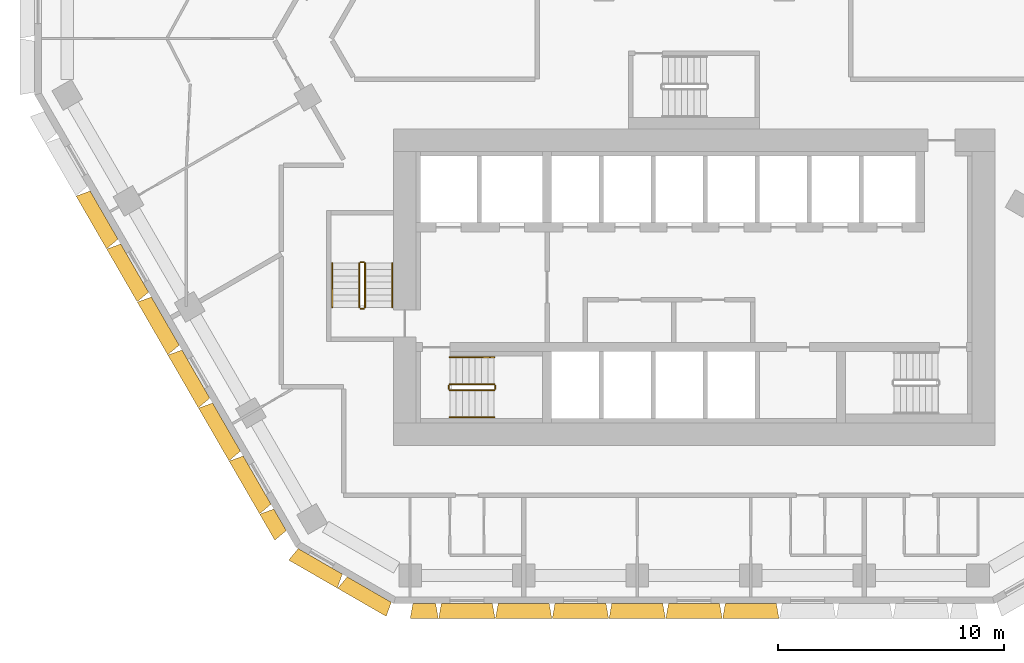
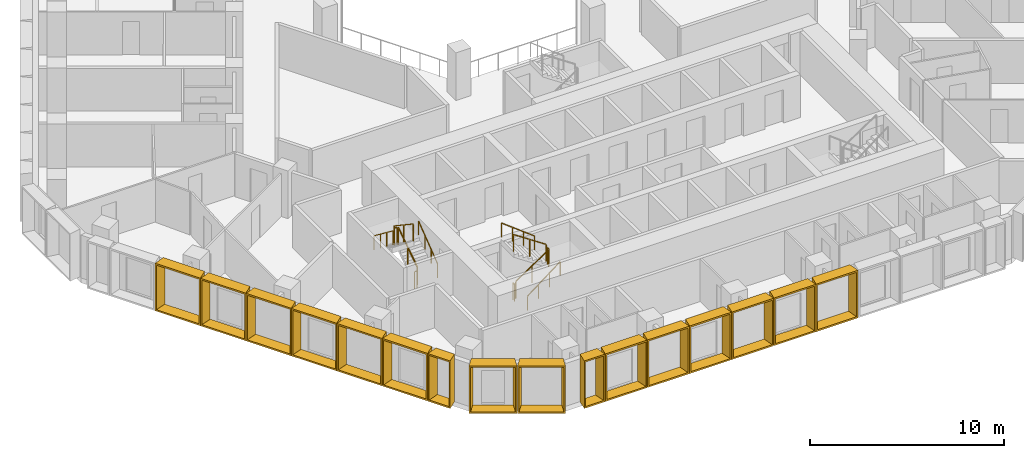
# One storey, part 12 of 15: 16 shading devices, 12 railings.
"""IFC4 building model written with IfcOpenShell, lengths in metres."""

from ifc_helpers import new_model, entity, si_unit, direction, frame, origin, origin_2d, place, context, subcontext, project, spatial, rectangle, extrude, source, transform, mapped, material, type_object, type_shapes, element, save


model = new_model("IFC4")

# Units and contexts
model_context = context("Model", 3, precision=1e-05, world=origin(), true_north=direction((0.0, 1.0)))
body_context = subcontext(model_context, "Body", "Model", "MODEL_VIEW")
ifc_project = project(units=[si_unit("LENGTHUNIT", "METRE"), si_unit("AREAUNIT", "SQUARE_METRE"), si_unit("VOLUMEUNIT", "CUBIC_METRE"), si_unit("PLANEANGLEUNIT", "RADIAN"), si_unit("MASSUNIT", "GRAM", prefix="KILO")], contexts=[model_context])

# Site, building, storey
site_placement = place(None, origin())
site = spatial("IfcSite", under=ifc_project, at=site_placement, CompositionType="ELEMENT")
building_placement = place(site_placement, origin())
building = spatial("IfcBuilding", under=site, at=building_placement, Name="Beryl Residences", CompositionType="ELEMENT")
storey_placement = place(building_placement, frame((0.0, 0.0, 78.0)))
storey = spatial("IfcBuildingStorey", under=building, at=storey_placement, Name="L23", CompositionType="ELEMENT", Elevation=78.0)

# Shading devices
ifc_material_1 = material(Name="Aluminium pale anodised", Category="aluminium")
shading_device_type_1 = type_object("IfcShadingDeviceType", Name="FR126-65A OUTER SKIN frame 650 mm deep, splay 10/10 deg, 1260 x 3000 mm cell", PredefinedType="USERDEFINED", material=ifc_material_1)
cartesian_point_1 = entity("IfcCartesianPoint", [-0.5048828125, 0.0])
cartesian_point_2 = entity("IfcCartesianPoint", [-0.423828125, 0.10009765625])
cartesian_point_3 = entity("IfcCartesianPoint", [-0.61962890625, 0.0])
cartesian_point_4 = entity("IfcCartesianPoint", [-0.538330078125, 0.10009765625])
shared_shape_1 = source(origin(), body_context, "Body", "SweptSolid", [
    entity("IfcExtrudedAreaSolidTapered", entity("IfcArbitraryProfileDefWithVoids", "AREA", None, entity("IfcPolyline", [cartesian_point_1, entity("IfcCartesianPoint", [0.5048828125, 0.0]), entity("IfcCartesianPoint", [0.5048828125, 3.0]), entity("IfcCartesianPoint", [-0.5048828125, 3.0]), cartesian_point_1]), [entity("IfcPolyline", [cartesian_point_2, entity("IfcCartesianPoint", [0.423828125, 0.10009765625]), entity("IfcCartesianPoint", [0.423828125, 2.89990234375]), entity("IfcCartesianPoint", [-0.423828125, 2.89990234375]), cartesian_point_2])]), entity("IfcAxis2Placement3D", entity("IfcCartesianPoint", [0.0, 0.0, 0.0]), entity("IfcDirection", [0.0, 1.0, 0.0]), entity("IfcDirection", [-1.0, 0.0, 0.0])), entity("IfcDirection", [0.0, 0.0, 1.0]), 0.64990234375, entity("IfcArbitraryProfileDefWithVoids", "AREA", None, entity("IfcPolyline", [cartesian_point_3, entity("IfcCartesianPoint", [0.61962890625, 0.0]), entity("IfcCartesianPoint", [0.61962890625, 3.0]), entity("IfcCartesianPoint", [-0.61962890625, 3.0]), cartesian_point_3]), [entity("IfcPolyline", [cartesian_point_4, entity("IfcCartesianPoint", [0.538330078125, 0.10009765625]), entity("IfcCartesianPoint", [0.538330078125, 2.89990234375]), entity("IfcCartesianPoint", [-0.538330078125, 2.89990234375]), cartesian_point_4])])),
])
type_shapes(shading_device_type_1, [shared_shape_1])
shading_device_1_placement = place(storey_placement, frame((-11.928955078125, -26.0, 0.0), z_axis=(0.0, 0.0, 1.0), x_axis=(-1.0, 0.0, 0.0)))
element("IfcShadingDevice", 1, at=shading_device_1_placement, inside=storey, type_object=shading_device_type_1, Name="FR126-65A frame L23 S 1", ObjectType="OUTER SKIN", PredefinedType="USERDEFINED", context=body_context, shape_type="MappedRepresentation", body=[
    mapped(shared_shape_1, transform((0.0, 0.0, 0.0))),
])
ifc_material_2 = material(Name="Aluminium pale anodised", Category="aluminium")
shading_device_type_2 = type_object("IfcShadingDeviceType", Name="FR135-65A OUTER SKIN frame 650 mm deep, splay 10/10 deg, 1350 x 3000 mm cell", PredefinedType="USERDEFINED", material=ifc_material_2)
cartesian_point_5 = entity("IfcCartesianPoint", [-0.550048828125, 0.0])
cartesian_point_6 = entity("IfcCartesianPoint", [-0.46875, 0.10009765625])
cartesian_point_7 = entity("IfcCartesianPoint", [-0.66455078125, 0.0])
cartesian_point_8 = entity("IfcCartesianPoint", [-0.58349609375, 0.10009765625])
shared_shape_2 = source(origin(), body_context, "Body", "SweptSolid", [
    entity("IfcExtrudedAreaSolidTapered", entity("IfcArbitraryProfileDefWithVoids", "AREA", None, entity("IfcPolyline", [cartesian_point_5, entity("IfcCartesianPoint", [0.550048828125, 0.0]), entity("IfcCartesianPoint", [0.550048828125, 3.0]), entity("IfcCartesianPoint", [-0.550048828125, 3.0]), cartesian_point_5]), [entity("IfcPolyline", [cartesian_point_6, entity("IfcCartesianPoint", [0.46875, 0.10009765625]), entity("IfcCartesianPoint", [0.46875, 2.89990234375]), entity("IfcCartesianPoint", [-0.46875, 2.89990234375]), cartesian_point_6])]), entity("IfcAxis2Placement3D", entity("IfcCartesianPoint", [0.0, 0.0, 0.0]), entity("IfcDirection", [0.0, 1.0, 0.0]), entity("IfcDirection", [-1.0, 0.0, 0.0])), entity("IfcDirection", [0.0, 0.0, 1.0]), 0.64990234375, entity("IfcArbitraryProfileDefWithVoids", "AREA", None, entity("IfcPolyline", [cartesian_point_7, entity("IfcCartesianPoint", [0.66455078125, 0.0]), entity("IfcCartesianPoint", [0.66455078125, 3.0]), entity("IfcCartesianPoint", [-0.66455078125, 3.0]), cartesian_point_7]), [entity("IfcPolyline", [cartesian_point_8, entity("IfcCartesianPoint", [0.58349609375, 0.10009765625]), entity("IfcCartesianPoint", [0.58349609375, 2.89990234375]), entity("IfcCartesianPoint", [-0.58349609375, 2.89990234375]), cartesian_point_8])])),
])
type_shapes(shading_device_type_2, [shared_shape_2])
shading_device_2_placement = place(storey_placement, frame((-18.30810546875, -22.2900390625, 0.0), z_axis=(0.0, 0.0, 1.0), x_axis=(-0.5, 0.866025403784, 0.0)))
element("IfcShadingDevice", 2, at=shading_device_2_placement, inside=storey, type_object=shading_device_type_2, Name="FR135-65A frame L23 SW 9", ObjectType="OUTER SKIN", PredefinedType="USERDEFINED", context=body_context, shape_type="MappedRepresentation", body=[
    mapped(shared_shape_2, transform((0.0, 0.0, 0.0))),
])
ifc_material_3 = material(Name="Aluminium pale anodised", Category="aluminium")
shading_device_type_3 = type_object("IfcShadingDeviceType", Name="FR250-65A OUTER SKIN frame 650 mm deep, splay 10/10 deg, 2500 x 3000 mm cell", PredefinedType="USERDEFINED", material=ifc_material_3)
cartesian_point_9 = entity("IfcCartesianPoint", [-1.125, 0.0])
cartesian_point_10 = entity("IfcCartesianPoint", [-1.043701171875, 0.10009765625])
cartesian_point_11 = entity("IfcCartesianPoint", [-1.239501953125, 0.0])
cartesian_point_12 = entity("IfcCartesianPoint", [-1.158447265625, 0.10009765625])
shared_shape_3 = source(origin(), body_context, "Body", "SweptSolid", [
    entity("IfcExtrudedAreaSolidTapered", entity("IfcArbitraryProfileDefWithVoids", "AREA", None, entity("IfcPolyline", [cartesian_point_9, entity("IfcCartesianPoint", [1.125, 0.0]), entity("IfcCartesianPoint", [1.125, 3.0]), entity("IfcCartesianPoint", [-1.125, 3.0]), cartesian_point_9]), [entity("IfcPolyline", [cartesian_point_10, entity("IfcCartesianPoint", [1.043701171875, 0.10009765625]), entity("IfcCartesianPoint", [1.043701171875, 2.89990234375]), entity("IfcCartesianPoint", [-1.043701171875, 2.89990234375]), cartesian_point_10])]), entity("IfcAxis2Placement3D", entity("IfcCartesianPoint", [0.0, 0.0, 0.0]), entity("IfcDirection", [0.0, 1.0, 0.0]), entity("IfcDirection", [-1.0, 0.0, 0.0])), entity("IfcDirection", [0.0, 0.0, 1.0]), 0.64990234375, entity("IfcArbitraryProfileDefWithVoids", "AREA", None, entity("IfcPolyline", [cartesian_point_11, entity("IfcCartesianPoint", [1.239501953125, 0.0]), entity("IfcCartesianPoint", [1.239501953125, 3.0]), entity("IfcCartesianPoint", [-1.239501953125, 3.0]), cartesian_point_11]), [entity("IfcPolyline", [cartesian_point_12, entity("IfcCartesianPoint", [1.158447265625, 0.10009765625]), entity("IfcCartesianPoint", [1.158447265625, 2.89990234375]), entity("IfcCartesianPoint", [-1.158447265625, 2.89990234375]), cartesian_point_12])])),
])
type_shapes(shading_device_type_3, [shared_shape_3])
for number, where, z_axis, x_axis, name in (
    (3, (-16.527099609375, -24.125, 0.0), (0.0, 0.0, 1.0), (-0.866025403784, 0.5, 0.0), "FR250-65A frame L23 SW-S 1"),
    (4, (-14.361083984375, -25.375, 0.0), (0.0, 0.0, 1.0), (-0.866025403784, 0.5, 0.0), "FR250-65A frame L23 SW-S 2"),
):
    element("IfcShadingDevice", number, at=place(storey_placement, frame(where, z_axis=z_axis, x_axis=x_axis)), inside=storey, type_object=shading_device_type_3, Name=name, ObjectType="OUTER SKIN", PredefinedType="USERDEFINED", context=body_context, shape_type="MappedRepresentation", body=[
        mapped(shared_shape_3, transform((0.0, 0.0, 0.0))),
    ])
ifc_material_4 = material(Name="Aluminium pale anodised", Category="aluminium")
shading_device_type_4 = type_object("IfcShadingDeviceType", Name="FR251-65A OUTER SKIN frame 650 mm deep, splay 10/10 deg, 2510 x 3000 mm cell", PredefinedType="USERDEFINED", material=ifc_material_4)
cartesian_point_13 = entity("IfcCartesianPoint", [-1.1298828125, 0.0])
cartesian_point_14 = entity("IfcCartesianPoint", [-1.048828125, 0.10009765625])
cartesian_point_15 = entity("IfcCartesianPoint", [-1.24462890625, 0.0])
cartesian_point_16 = entity("IfcCartesianPoint", [-1.163330078125, 0.10009765625])
shared_shape_4 = source(origin(), body_context, "Body", "SweptSolid", [
    entity("IfcExtrudedAreaSolidTapered", entity("IfcArbitraryProfileDefWithVoids", "AREA", None, entity("IfcPolyline", [cartesian_point_13, entity("IfcCartesianPoint", [1.1298828125, 0.0]), entity("IfcCartesianPoint", [1.1298828125, 3.0]), entity("IfcCartesianPoint", [-1.1298828125, 3.0]), cartesian_point_13]), [entity("IfcPolyline", [cartesian_point_14, entity("IfcCartesianPoint", [1.048828125, 0.10009765625]), entity("IfcCartesianPoint", [1.048828125, 2.89990234375]), entity("IfcCartesianPoint", [-1.048828125, 2.89990234375]), cartesian_point_14])]), entity("IfcAxis2Placement3D", entity("IfcCartesianPoint", [0.0, 0.0, 0.0]), entity("IfcDirection", [0.0, 1.0, 0.0]), entity("IfcDirection", [-1.0, 0.0, 0.0])), entity("IfcDirection", [0.0, 0.0, 1.0]), 0.64990234375, entity("IfcArbitraryProfileDefWithVoids", "AREA", None, entity("IfcPolyline", [cartesian_point_15, entity("IfcCartesianPoint", [1.24462890625, 0.0]), entity("IfcCartesianPoint", [1.24462890625, 3.0]), entity("IfcCartesianPoint", [-1.24462890625, 3.0]), cartesian_point_15]), [entity("IfcPolyline", [cartesian_point_16, entity("IfcCartesianPoint", [1.163330078125, 0.10009765625]), entity("IfcCartesianPoint", [1.163330078125, 2.89990234375]), entity("IfcCartesianPoint", [-1.163330078125, 2.89990234375]), cartesian_point_16])])),
])
type_shapes(shading_device_type_4, [shared_shape_4])
for number, where, z_axis, x_axis, name in (
    (5, (-10.0458984375, -26.0, 0.0), (0.0, 0.0, 1.0), (-1.0, 0.0, 0.0), "FR251-65A frame L23 S 2"),
    (6, (-7.533935546875, -26.0, 0.0), (0.0, 0.0, 1.0), (-1.0, 0.0, 0.0), "FR251-65A frame L23 S 3"),
    (7, (-5.02197265625, -26.0, 0.0), (0.0, 0.0, 1.0), (-1.0, 0.0, 0.0), "FR251-65A frame L23 S 4"),
    (8, (-2.510986328125, -26.0, 0.0), (0.0, 0.0, 1.0), (-1.0, 0.0, 0.0), "FR251-65A frame L23 S 5"),
    (9, (0.0, -26.0, 0.0), (0.0, 0.0, 1.0), (-1.0, 0.0, 0.0), "FR251-65A frame L23 S 6"),
    (10, (2.511962890625, -26.0, 0.0), (0.0, 0.0, 1.0), (-1.0, 0.0, 0.0), "FR251-65A frame L23 S 7"),
):
    element("IfcShadingDevice", number, at=place(storey_placement, frame(where, z_axis=z_axis, x_axis=x_axis)), inside=storey, type_object=shading_device_type_4, Name=name, ObjectType="OUTER SKIN", PredefinedType="USERDEFINED", context=body_context, shape_type="MappedRepresentation", body=[
        mapped(shared_shape_4, transform((0.0, 0.0, 0.0))),
    ])
ifc_material_5 = material(Name="Aluminium pale anodised", Category="aluminium")
shading_device_type_5 = type_object("IfcShadingDeviceType", Name="FR271-65A OUTER SKIN frame 650 mm deep, splay 10/10 deg, 2710 x 3000 mm cell", PredefinedType="USERDEFINED", material=ifc_material_5)
cartesian_point_17 = entity("IfcCartesianPoint", [-1.22998046875, 0.0])
cartesian_point_18 = entity("IfcCartesianPoint", [-1.148681640625, 0.10009765625])
cartesian_point_19 = entity("IfcCartesianPoint", [-1.3447265625, 0.0])
cartesian_point_20 = entity("IfcCartesianPoint", [-1.263427734375, 0.10009765625])
shared_shape_5 = source(origin(), body_context, "Body", "SweptSolid", [
    entity("IfcExtrudedAreaSolidTapered", entity("IfcArbitraryProfileDefWithVoids", "AREA", None, entity("IfcPolyline", [cartesian_point_17, entity("IfcCartesianPoint", [1.22998046875, 0.0]), entity("IfcCartesianPoint", [1.22998046875, 3.0]), entity("IfcCartesianPoint", [-1.22998046875, 3.0]), cartesian_point_17]), [entity("IfcPolyline", [cartesian_point_18, entity("IfcCartesianPoint", [1.148681640625, 0.10009765625]), entity("IfcCartesianPoint", [1.148681640625, 2.89990234375]), entity("IfcCartesianPoint", [-1.148681640625, 2.89990234375]), cartesian_point_18])]), entity("IfcAxis2Placement3D", entity("IfcCartesianPoint", [0.0, 0.0, 0.0]), entity("IfcDirection", [0.0, 1.0, 0.0]), entity("IfcDirection", [-1.0, 0.0, 0.0])), entity("IfcDirection", [0.0, 0.0, 1.0]), 0.64990234375, entity("IfcArbitraryProfileDefWithVoids", "AREA", None, entity("IfcPolyline", [cartesian_point_19, entity("IfcCartesianPoint", [1.3447265625, 0.0]), entity("IfcCartesianPoint", [1.3447265625, 3.0]), entity("IfcCartesianPoint", [-1.3447265625, 3.0]), cartesian_point_19]), [entity("IfcPolyline", [cartesian_point_20, entity("IfcCartesianPoint", [1.263427734375, 0.10009765625]), entity("IfcCartesianPoint", [1.263427734375, 2.89990234375]), entity("IfcCartesianPoint", [-1.263427734375, 2.89990234375]), cartesian_point_20])])),
])
type_shapes(shading_device_type_5, [shared_shape_5])
for number, where, z_axis, x_axis, name in (
    (11, (-26.090087890625, -8.81201171875, 0.0), (0.0, 0.0, 1.0), (-0.5, 0.866025403784, 0.0), "FR271-65A frame L23 SW 3"),
    (12, (-24.736083984375, -11.156005859375, 0.0), (0.0, 0.0, 1.0), (-0.5, 0.866025403784, 0.0), "FR271-65A frame L23 SW 4"),
    (13, (-23.383056640625, -13.5, 0.0), (0.0, 0.0, 1.0), (-0.5, 0.866025403784, 0.0), "FR271-65A frame L23 SW 5"),
    (14, (-22.030029296875, -15.843994140625, 0.0), (0.0, 0.0, 1.0), (-0.5, 0.866025403784, 0.0), "FR271-65A frame L23 SW 6"),
    (15, (-20.676025390625, -18.18798828125, 0.0), (0.0, 0.0, 1.0), (-0.5, 0.866025403784, 0.0), "FR271-65A frame L23 SW 7"),
    (16, (-19.322998046875, -20.531982421875, 0.0), (0.0, 0.0, 1.0), (-0.5, 0.866025403784, 0.0), "FR271-65A frame L23 SW 8"),
):
    element("IfcShadingDevice", number, at=place(storey_placement, frame(where, z_axis=z_axis, x_axis=x_axis)), inside=storey, type_object=shading_device_type_5, Name=name, ObjectType="OUTER SKIN", PredefinedType="USERDEFINED", context=body_context, shape_type="MappedRepresentation", body=[
        mapped(shared_shape_5, transform((0.0, 0.0, 0.0))),
    ])

# Railings
ifc_material_6 = material(Name="Stainless steel balustrade with glass infill", Category="steel")
railing_type_1 = type_object("IfcRailingType", Name="SG1 stair guard 1100 mm", PredefinedType="GUARDRAIL", material=ifc_material_6)
railing_1_placement = place(storey_placement, frame((-10.800048828125, -16.550048828125, 0.1875)))
element("IfcRailing", 17, at=railing_1_placement, inside=storey, type_object=railing_type_1, Name="L23 ST-1 stair guard 1", PredefinedType="GUARDRAIL", context=body_context, shape_type="SweptSolid", body=[
    extrude(rectangle(XDim=0.048095703125, YDim=0.048095703125, at=origin_2d()), frame((0.0, 0.0, 1.076171875), z_axis=(0.830902050051, 0.0, 0.556418712142), x_axis=(0.0, 1.0, 0.0)), (0.0, 0.0, 1.0), 2.35888671875),
    extrude(rectangle(XDim=0.0419921875, YDim=0.0419921875, at=origin_2d()), origin(), (0.0, 0.0, 1.0), 1.052001953125),
    extrude(rectangle(XDim=0.0419921875, YDim=0.0419921875, at=origin_2d()), frame((0.97998046875, 0.0, 0.65625)), (0.0, 0.0, 1.0), 1.052001953125),
    extrude(rectangle(XDim=0.0419921875, YDim=0.0419921875, at=origin_2d()), frame((1.9599609375, 0.0, 1.3125)), (0.0, 0.0, 1.0), 1.052001953125),
])
railing_2_placement = place(storey_placement, frame((-8.7900390625, -16.5, 1.5)))
element("IfcRailing", 18, at=railing_2_placement, inside=storey, type_object=railing_type_1, Name="L23 ST-1 stair guard 2", PredefinedType="GUARDRAIL", context=body_context, shape_type="SweptSolid", body=[
    extrude(rectangle(XDim=0.048095703125, YDim=0.048095703125, at=origin_2d()), frame((0.0, 0.0, 1.076171875), z_axis=(0.0, 1.0, 0.0), x_axis=(-1.0, 0.0, 0.0)), (0.0, 0.0, 1.0), 0.14990234375),
    extrude(rectangle(XDim=0.0419921875, YDim=0.0419921875, at=origin_2d()), origin(), (0.0, 0.0, 1.0), 1.052001953125),
    extrude(rectangle(XDim=0.0419921875, YDim=0.0419921875, at=origin_2d()), frame((0.0, 0.14990234375, 0.0)), (0.0, 0.0, 1.0), 1.052001953125),
])
railing_3_placement = place(storey_placement, frame((-8.840087890625, -16.300048828125, 1.6875)))
element("IfcRailing", 19, at=railing_3_placement, inside=storey, type_object=railing_type_1, Name="L23 ST-1 stair guard 3", PredefinedType="GUARDRAIL", context=body_context, shape_type="SweptSolid", body=[
    extrude(rectangle(XDim=0.048095703125, YDim=0.048095703125, at=origin_2d()), frame((0.0, 0.0, 1.076171875), z_axis=(-0.830902050051, 0.0, 0.556418712142), x_axis=(0.0, -1.0, 0.0)), (0.0, 0.0, 1.0), 2.35888671875),
    extrude(rectangle(XDim=0.0419921875, YDim=0.0419921875, at=origin_2d()), origin(), (0.0, 0.0, 1.0), 1.052001953125),
    extrude(rectangle(XDim=0.0419921875, YDim=0.0419921875, at=origin_2d()), frame((-0.97998046875, 0.0, 0.65625)), (0.0, 0.0, 1.0), 1.052001953125),
    extrude(rectangle(XDim=0.0419921875, YDim=0.0419921875, at=origin_2d()), frame((-1.9599609375, 0.0, 1.3125)), (0.0, 0.0, 1.0), 1.052001953125),
])
railing_4_placement = place(storey_placement, frame((-10.85009765625, -16.5, 0.0)))
element("IfcRailing", 20, at=railing_4_placement, inside=storey, type_object=railing_type_1, Name="L23 ST-1 stair guard 4", PredefinedType="GUARDRAIL", context=body_context, shape_type="SweptSolid", body=[
    extrude(rectangle(XDim=0.048095703125, YDim=0.048095703125, at=origin_2d()), frame((0.0, 0.0, 1.076171875), z_axis=(0.0, 1.0, 0.0), x_axis=(-1.0, 0.0, 0.0)), (0.0, 0.0, 1.0), 0.14990234375),
    extrude(rectangle(XDim=0.0419921875, YDim=0.0419921875, at=origin_2d()), origin(), (0.0, 0.0, 1.0), 1.052001953125),
    extrude(rectangle(XDim=0.0419921875, YDim=0.0419921875, at=origin_2d()), frame((0.0, 0.14990234375, 0.0)), (0.0, 0.0, 1.0), 1.052001953125),
])
railing_5_placement = place(storey_placement, frame((-14.550048828125, -12.89990234375, 0.1875)))
element("IfcRailing", 21, at=railing_5_placement, inside=storey, type_object=railing_type_1, Name="L23 ST-2 stair guard 1", PredefinedType="GUARDRAIL", context=body_context, shape_type="SweptSolid", body=[
    extrude(rectangle(XDim=0.048095703125, YDim=0.048095703125, at=origin_2d()), frame((0.0, 0.0, 1.076171875), z_axis=(0.0, 0.830902050051, 0.556418712142), x_axis=(-1.0, 0.0, 0.0)), (0.0, 0.0, 1.0), 2.35888671875),
    extrude(rectangle(XDim=0.0419921875, YDim=0.0419921875, at=origin_2d()), origin(), (0.0, 0.0, 1.0), 1.052001953125),
    extrude(rectangle(XDim=0.0419921875, YDim=0.0419921875, at=origin_2d()), frame((0.0, 0.97998046875, 0.65625)), (0.0, 0.0, 1.0), 1.052001953125),
    extrude(rectangle(XDim=0.0419921875, YDim=0.0419921875, at=origin_2d()), frame((0.0, 1.9599609375, 1.3125)), (0.0, 0.0, 1.0), 1.052001953125),
])
railing_6_placement = place(storey_placement, frame((-14.60009765625, -10.889892578125, 1.5)))
element("IfcRailing", 22, at=railing_6_placement, inside=storey, type_object=railing_type_1, Name="L23 ST-2 stair guard 2", PredefinedType="GUARDRAIL", context=body_context, shape_type="SweptSolid", body=[
    extrude(rectangle(XDim=0.048095703125, YDim=0.048095703125, at=origin_2d()), frame((0.0, 0.0, 1.076171875), z_axis=(-1.0, 0.0, 0.0), x_axis=(0.0, -1.0, 0.0)), (0.0, 0.0, 1.0), 0.14990234375),
    extrude(rectangle(XDim=0.0419921875, YDim=0.0419921875, at=origin_2d()), origin(), (0.0, 0.0, 1.0), 1.052001953125),
    extrude(rectangle(XDim=0.0419921875, YDim=0.0419921875, at=origin_2d()), frame((-0.14990234375, 0.0, 0.0)), (0.0, 0.0, 1.0), 1.052001953125),
])
railing_7_placement = place(storey_placement, frame((-14.800048828125, -10.93994140625, 1.6875)))
element("IfcRailing", 23, at=railing_7_placement, inside=storey, type_object=railing_type_1, Name="L23 ST-2 stair guard 3", PredefinedType="GUARDRAIL", context=body_context, shape_type="SweptSolid", body=[
    extrude(rectangle(XDim=0.048095703125, YDim=0.048095703125, at=origin_2d()), frame((0.0, 0.0, 1.076171875), z_axis=(0.0, -0.830902050051, 0.556418712142), x_axis=(1.0, 0.0, 0.0)), (0.0, 0.0, 1.0), 2.35888671875),
    extrude(rectangle(XDim=0.0419921875, YDim=0.0419921875, at=origin_2d()), origin(), (0.0, 0.0, 1.0), 1.052001953125),
    extrude(rectangle(XDim=0.0419921875, YDim=0.0419921875, at=origin_2d()), frame((0.0, -0.97998046875, 0.65625)), (0.0, 0.0, 1.0), 1.052001953125),
    extrude(rectangle(XDim=0.0419921875, YDim=0.0419921875, at=origin_2d()), frame((0.0, -1.9599609375, 1.3125)), (0.0, 0.0, 1.0), 1.052001953125),
])
railing_8_placement = place(storey_placement, frame((-14.60009765625, -12.949951171875, 0.0)))
element("IfcRailing", 24, at=railing_8_placement, inside=storey, type_object=railing_type_1, Name="L23 ST-2 stair guard 4", PredefinedType="GUARDRAIL", context=body_context, shape_type="SweptSolid", body=[
    extrude(rectangle(XDim=0.048095703125, YDim=0.048095703125, at=origin_2d()), frame((0.0, 0.0, 1.076171875), z_axis=(-1.0, 0.0, 0.0), x_axis=(0.0, -1.0, 0.0)), (0.0, 0.0, 1.0), 0.14990234375),
    extrude(rectangle(XDim=0.0419921875, YDim=0.0419921875, at=origin_2d()), origin(), (0.0, 0.0, 1.0), 1.052001953125),
    extrude(rectangle(XDim=0.0419921875, YDim=0.0419921875, at=origin_2d()), frame((-0.14990234375, 0.0, 0.0)), (0.0, 0.0, 1.0), 1.052001953125),
])
ifc_material_7 = material(Name="Stainless steel handrail", Category="steel")
railing_type_2 = type_object("IfcRailingType", Name="SRL1 stair handrail 900 mm", PredefinedType="HANDRAIL", material=ifc_material_7)
railing_9_placement = place(storey_placement, frame((-10.800048828125, -17.75, 0.1875)))
element("IfcRailing", 25, at=railing_9_placement, inside=storey, type_object=railing_type_2, Name="L23 ST-1 stair handrail 1", PredefinedType="HANDRAIL", context=body_context, shape_type="SweptSolid", body=[
    extrude(rectangle(XDim=0.048095703125, YDim=0.048095703125, at=origin_2d()), frame((0.0, 0.0, 0.8759765625), z_axis=(0.794121922505, 0.0, 0.607758481798), x_axis=(0.0, 1.0, 0.0)), (0.0, 0.0, 1.0), 2.468017578125),
    extrude(rectangle(XDim=0.0419921875, YDim=0.0419921875, at=origin_2d()), origin(), (0.0, 0.0, 1.0), 0.851806640625),
    extrude(rectangle(XDim=0.0419921875, YDim=0.0419921875, at=origin_2d()), frame((0.6533203125, 0.0, 0.5)), (0.0, 0.0, 1.0), 0.851806640625),
    extrude(rectangle(XDim=0.0419921875, YDim=0.0419921875, at=origin_2d()), frame((1.306640625, 0.0, 1.0)), (0.0, 0.0, 1.0), 0.851806640625),
    extrude(rectangle(XDim=0.0419921875, YDim=0.0419921875, at=origin_2d()), frame((1.9599609375, 0.0, 1.5)), (0.0, 0.0, 1.0), 0.851806640625),
])
railing_10_placement = place(storey_placement, frame((-8.840087890625, -15.10009765625, 1.6875)))
element("IfcRailing", 26, at=railing_10_placement, inside=storey, type_object=railing_type_2, Name="L23 ST-1 stair handrail 2", PredefinedType="HANDRAIL", context=body_context, shape_type="SweptSolid", body=[
    extrude(rectangle(XDim=0.048095703125, YDim=0.048095703125, at=origin_2d()), frame((0.0, 0.0, 0.8759765625), z_axis=(-0.794121922505, 0.0, 0.607758481798), x_axis=(0.0, -1.0, 0.0)), (0.0, 0.0, 1.0), 2.468017578125),
    extrude(rectangle(XDim=0.0419921875, YDim=0.0419921875, at=origin_2d()), origin(), (0.0, 0.0, 1.0), 0.851806640625),
    extrude(rectangle(XDim=0.0419921875, YDim=0.0419921875, at=origin_2d()), frame((-0.6533203125, 0.0, 0.5)), (0.0, 0.0, 1.0), 0.851806640625),
    extrude(rectangle(XDim=0.0419921875, YDim=0.0419921875, at=origin_2d()), frame((-1.306640625, 0.0, 1.0)), (0.0, 0.0, 1.0), 0.851806640625),
    extrude(rectangle(XDim=0.0419921875, YDim=0.0419921875, at=origin_2d()), frame((-1.9599609375, 0.0, 1.5)), (0.0, 0.0, 1.0), 0.851806640625),
])
railing_11_placement = place(storey_placement, frame((-13.35009765625, -12.89990234375, 0.1875)))
element("IfcRailing", 27, at=railing_11_placement, inside=storey, type_object=railing_type_2, Name="L23 ST-2 stair handrail 1", PredefinedType="HANDRAIL", context=body_context, shape_type="SweptSolid", body=[
    extrude(rectangle(XDim=0.048095703125, YDim=0.048095703125, at=origin_2d()), frame((0.0, 0.0, 0.8759765625), z_axis=(0.0, 0.794121922505, 0.607758481798), x_axis=(-1.0, 0.0, 0.0)), (0.0, 0.0, 1.0), 2.468017578125),
    extrude(rectangle(XDim=0.0419921875, YDim=0.0419921875, at=origin_2d()), origin(), (0.0, 0.0, 1.0), 0.851806640625),
    extrude(rectangle(XDim=0.0419921875, YDim=0.0419921875, at=origin_2d()), frame((0.0, 0.6533203125, 0.5)), (0.0, 0.0, 1.0), 0.851806640625),
    extrude(rectangle(XDim=0.0419921875, YDim=0.0419921875, at=origin_2d()), frame((0.0, 1.306640625, 1.0)), (0.0, 0.0, 1.0), 0.851806640625),
    extrude(rectangle(XDim=0.0419921875, YDim=0.0419921875, at=origin_2d()), frame((0.0, 1.9599609375, 1.5)), (0.0, 0.0, 1.0), 0.851806640625),
])
railing_12_placement = place(storey_placement, frame((-16.0, -10.93994140625, 1.6875)))
element("IfcRailing", 28, at=railing_12_placement, inside=storey, type_object=railing_type_2, Name="L23 ST-2 stair handrail 2", PredefinedType="HANDRAIL", context=body_context, shape_type="SweptSolid", body=[
    extrude(rectangle(XDim=0.048095703125, YDim=0.048095703125, at=origin_2d()), frame((0.0, 0.0, 0.8759765625), z_axis=(0.0, -0.794121922505, 0.607758481798), x_axis=(1.0, 0.0, 0.0)), (0.0, 0.0, 1.0), 2.468017578125),
    extrude(rectangle(XDim=0.0419921875, YDim=0.0419921875, at=origin_2d()), origin(), (0.0, 0.0, 1.0), 0.851806640625),
    extrude(rectangle(XDim=0.0419921875, YDim=0.0419921875, at=origin_2d()), frame((0.0, -0.6533203125, 0.5)), (0.0, 0.0, 1.0), 0.851806640625),
    extrude(rectangle(XDim=0.0419921875, YDim=0.0419921875, at=origin_2d()), frame((0.0, -1.306640625, 1.0)), (0.0, 0.0, 1.0), 0.851806640625),
    extrude(rectangle(XDim=0.0419921875, YDim=0.0419921875, at=origin_2d()), frame((0.0, -1.9599609375, 1.5)), (0.0, 0.0, 1.0), 0.851806640625),
])

save(model, "model.ifc")
